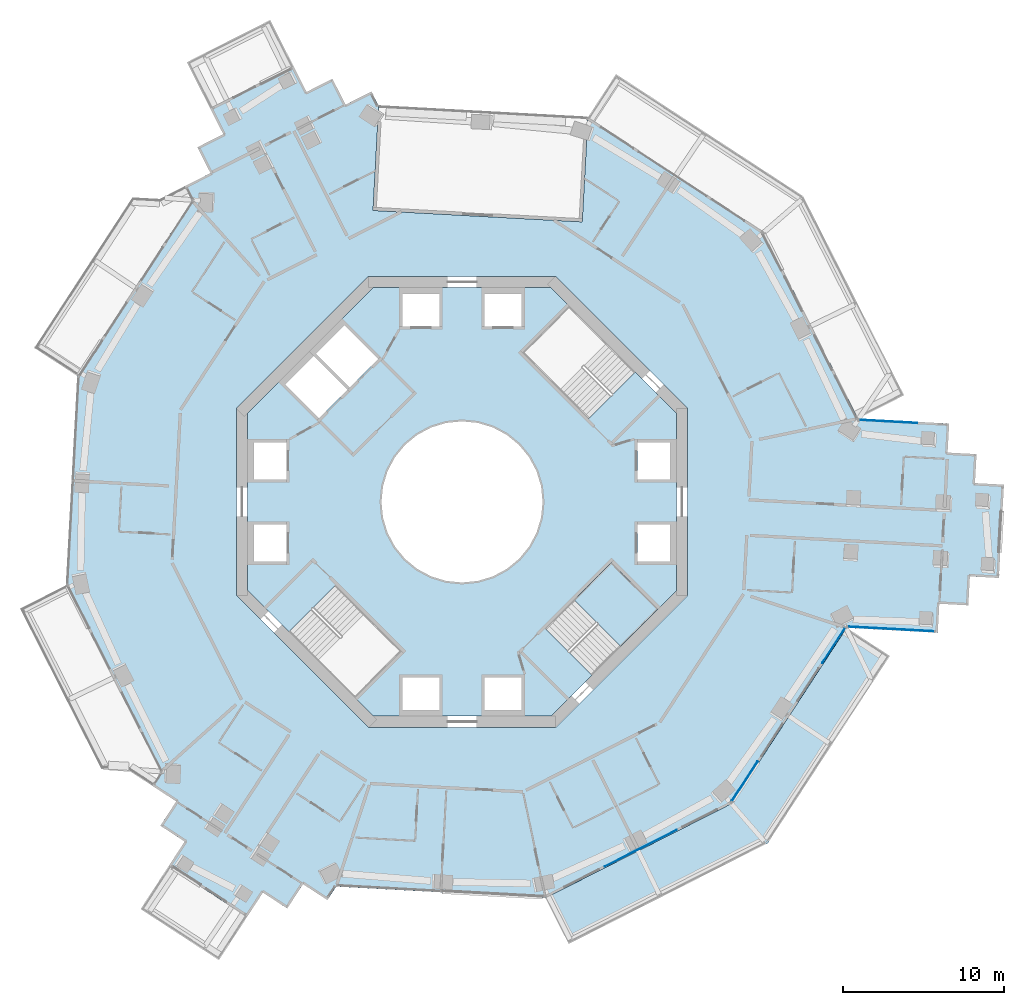
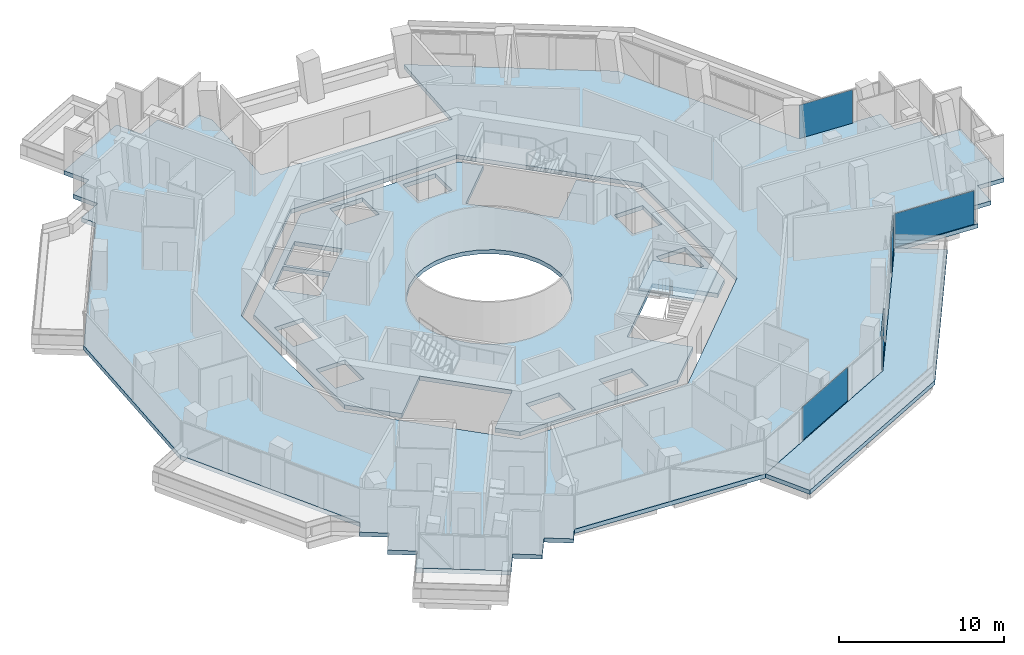
# One storey, part 12 of 23: 6 plates, 4 slabs, 5 elements without a shape of their own.
"""IFC4 building model written with IfcOpenShell, lengths in metres."""

from ifc_helpers import new_model, si_unit, direction, frame, origin, origin_2d, place, context, subcontext, project, spatial, polyline, rectangle, outline, extrude, material, layer, layer_set, type_object, element, aggregate, save


model = new_model("IFC4")

# Units and contexts
model_context = context("Model", 3, precision=1e-05, world=origin(), true_north=direction((0.0, 1.0)))
body_context = subcontext(model_context, "Body", "Model", "MODEL_VIEW")
ifc_project = project(units=[si_unit("LENGTHUNIT", "METRE"), si_unit("AREAUNIT", "SQUARE_METRE"), si_unit("VOLUMEUNIT", "CUBIC_METRE"), si_unit("PLANEANGLEUNIT", "RADIAN"), si_unit("MASSUNIT", "GRAM", prefix="KILO")], contexts=[model_context])

# Site, building, storey
site_placement = place(None, origin())
site = spatial("IfcSite", under=ifc_project, at=site_placement, CompositionType="ELEMENT")
building_placement = place(site_placement, origin())
building = spatial("IfcBuilding", under=site, at=building_placement, Name="Verdalira Terraces Hotel", CompositionType="ELEMENT")
storey_placement = place(building_placement, frame((0.0, 0.0, 143.5)))
storey = spatial("IfcBuildingStorey", under=building, at=storey_placement, Name="L34", CompositionType="ELEMENT", Elevation=143.5)

# Slab
ifc_material_1 = material(Name="Precast concrete C40/50", Category="concrete")
ifc_layer_1 = layer(ifc_material_1, 0.31005859375)
ifc_layer_set_1 = layer_set([ifc_layer_1], Name="Balcony deck 310")
slab_type_1 = type_object("IfcSlabType", Name="Balcony deck 310", PredefinedType="FLOOR", material=ifc_layer_set_1)
slab_1_placement = place(storey_placement, frame((0.0, 0.0, -0.310059)))
element("IfcSlab", 1, at=slab_1_placement, inside=storey, type_object=slab_type_1, Name="Balcony deck", PredefinedType="FLOOR", context=body_context, shape_type="SweptSolid", body=[
    extrude(outline(polyline([(26.548584, -9.559082), (23.868652, -7.810791), (16.765381, -18.698486), (5.170166, -24.576172), (6.616943, -27.43042), (18.977051, -21.165039), (26.548584, -9.559082)])), origin(), (0.0, 0.0, 1.0), 0.310059),
])

# Curtain wall, plate
ifc_material_2 = material(Name="Clear glass", Category="glass")
ifc_layer_2 = layer(ifc_material_2, 0.14990234375)
ifc_layer_set_2 = layer_set([ifc_layer_2], Name="CW1 curtain wall")
curtain_wall_type_1 = type_object("IfcCurtainWallType", Name="CW1 curtain wall", PredefinedType="NOTDEFINED", material=ifc_layer_set_2)
curtain_wall_1_placement = place(storey_placement, origin())
curtain_wall_1 = element("IfcCurtainWall", 2, at=curtain_wall_1_placement, inside=storey, type_object=curtain_wall_type_1, Name="CW1 curtain wall L34 edge 26", PredefinedType="NOTDEFINED")
ifc_material_3 = material(Name="Clear glass", Category="glass")
ifc_layer_3 = layer(ifc_material_3, 0.028076171875)
ifc_layer_set_3 = layer_set([ifc_layer_3], Name="CW1 glass unit 28")
plate_type_1 = type_object("IfcPlateType", Name="CW1 glass unit 28", PredefinedType="CURTAIN_PANEL", material=ifc_layer_set_3)
plate_1_placement = place(storey_placement, frame((11.093262, -21.489502, 0.0), z_axis=(0.0, 0.0, 1.0), x_axis=(0.891955405, 0.452123386, 0.0)))
plate_1 = element("IfcPlate", 3, at=plate_1_placement, type_object=plate_type_1, Name="CW1 glass unit", PredefinedType="CURTAIN_PANEL", context=body_context, shape_type="SweptSolid", body=[
    extrude(rectangle(XDim=5.021729, YDim=0.028076, at=origin_2d()), origin(), (0.0, 0.0, 1.0), 2.475098),
])
aggregate(curtain_wall_1, [plate_1])

# Curtain wall, plates
curtain_wall_2_placement = place(storey_placement, origin())
curtain_wall_2 = element("IfcCurtainWall", 4, at=curtain_wall_2_placement, inside=storey, type_object=curtain_wall_type_1, Name="CW1 curtain wall L34 edge 27", PredefinedType="NOTDEFINED")
plate_2_placement = place(storey_placement, frame((17.544678, -17.341309, 1.237549), z_axis=(0.83752804, -0.546394347, 0.0), x_axis=(0.546394347, 0.83752804, 0.0)))
plate_2 = element("IfcPlate", 5, at=plate_2_placement, type_object=plate_type_1, Name="CW1 glass unit", PredefinedType="CURTAIN_PANEL", context=body_context, shape_type="SweptSolid", body=[
    extrude(outline(polyline([(-1.462402, -1.237549), (1.462402, -1.237549), (-1.462402, 1.237549), (-1.462402, -1.237549)])), origin(), (0.0, 0.0, 1.0), 0.028076),
])
plate_3_placement = place(storey_placement, frame((17.520264, -17.325439, 1.237549), z_axis=(0.83752804, -0.546394347, 0.0), x_axis=(0.546394347, 0.83752804, 0.0)))
plate_3 = element("IfcPlate", 6, at=plate_3_placement, type_object=plate_type_1, Name="CW1 glass unit", PredefinedType="CURTAIN_PANEL", context=body_context, shape_type="SweptSolid", body=[
    extrude(outline(polyline([(1.462402, -1.237549), (1.462402, 1.237549), (-1.462402, 1.237549), (1.462402, -1.237549)])), origin(), (0.0, 0.0, 1.0), 0.028076),
])
plate_4_placement = place(storey_placement, frame((23.061523, -8.910645, 0.0), z_axis=(0.0, 0.0, 1.0), x_axis=(0.546394347, 0.83752804, 0.0)))
plate_4 = element("IfcPlate", 7, at=plate_4_placement, type_object=plate_type_1, Name="CW1 glass unit", PredefinedType="CURTAIN_PANEL", context=body_context, shape_type="SweptSolid", body=[
    extrude(rectangle(XDim=2.604492, YDim=0.028076, at=origin_2d()), origin(), (0.0, 0.0, 1.0), 2.475098),
])
aggregate(curtain_wall_2, [plate_2, plate_3, plate_4])

# Curtain wall, plate
ifc_material_4 = material(Name="Clear glass", Category="glass")
ifc_layer_4 = layer(ifc_material_4, 0.14990234375)
ifc_layer_set_4 = layer_set([ifc_layer_4], Name="CW2 curtain wall")
curtain_wall_type_2 = type_object("IfcCurtainWallType", Name="CW2 curtain wall", PredefinedType="NOTDEFINED", material=ifc_layer_set_4)
curtain_wall_3_placement = place(storey_placement, origin())
curtain_wall_3 = element("IfcCurtainWall", 8, at=curtain_wall_3_placement, inside=storey, type_object=curtain_wall_type_2, Name="CW2 curtain wall L34 edge 28", PredefinedType="NOTDEFINED")
ifc_material_5 = material(Name="Clear glass", Category="glass")
ifc_layer_5 = layer(ifc_material_5, 0.031982421875)
ifc_layer_set_5 = layer_set([ifc_layer_5], Name="CW2 glass unit 32")
plate_type_2 = type_object("IfcPlateType", Name="CW2 glass unit 32", PredefinedType="CURTAIN_PANEL", material=ifc_layer_set_5)
plate_5_placement = place(storey_placement, frame((26.624756, -7.885742, 0.0), z_axis=(0.0, 0.0, 1.0), x_axis=(0.998517732, -0.054427365, 0.0)))
plate_5 = element("IfcPlate", 9, at=plate_5_placement, type_object=plate_type_2, Name="CW2 glass unit", PredefinedType="CURTAIN_PANEL", context=body_context, shape_type="SweptSolid", body=[
    extrude(rectangle(XDim=5.372314, YDim=0.031982, at=origin_2d()), origin(), (0.0, 0.0, 1.0), 2.475098),
])
aggregate(curtain_wall_3, [plate_5])

curtain_wall_4_placement = place(storey_placement, origin())
curtain_wall_4 = element("IfcCurtainWall", 10, at=curtain_wall_4_placement, inside=storey, type_object=curtain_wall_type_2, Name="CW2 curtain wall L34 edge 38", PredefinedType="NOTDEFINED")
plate_6_placement = place(storey_placement, frame((26.445312, 4.993164, 0.0), z_axis=(0.0, 0.0, 1.0), x_axis=(-0.998517732, 0.054427365, 0.0)))
plate_6 = element("IfcPlate", 11, at=plate_6_placement, type_object=plate_type_2, Name="CW2 glass unit", PredefinedType="CURTAIN_PANEL", context=body_context, shape_type="SweptSolid", body=[
    extrude(rectangle(XDim=3.612061, YDim=0.031982, at=origin_2d()), origin(), (0.0, 0.0, 1.0), 2.475098),
])
aggregate(curtain_wall_4, [plate_6])

# Slab
ifc_material_6 = material(Name="Concrete C40", Category="concrete")
ifc_layer_6 = layer(ifc_material_6, 0.31005859375)
ifc_layer_set_6 = layer_set([ifc_layer_6], Name="Core floor slab 310 mm")
slab_type_2 = type_object("IfcSlabType", Name="Core floor slab 310 mm", PredefinedType="FLOOR", material=ifc_layer_set_6)
slab_2_placement = place(storey_placement, frame((0.0, 0.0, -0.310059)))
element("IfcSlab", 12, at=slab_2_placement, inside=storey, type_object=slab_type_2, Name="L34 core floor", PredefinedType="FLOOR", context=body_context, shape_type="SweptSolid", body=[
    extrude(outline(polyline([(-5.509033, 13.300049), (5.509033, 13.300049), (6.632812, 12.176514), (3.719482, 9.263184), (7.834473, 5.148193), (10.747803, 8.061279), (13.300049, 5.509033), (13.300049, -5.509033), (12.176514, -6.632812), (9.263184, -3.719482), (5.148193, -7.834473), (8.061279, -10.747803), (5.509033, -13.300049), (-5.509033, -13.300049), (-6.632812, -12.176514), (-3.719482, -9.263184), (-7.834473, -5.148193), (-10.747803, -8.061279), (-13.300049, -5.509033), (-13.300049, 5.509033), (-5.509033, 13.300049)]), holes=[polyline([(12.899902, -3.699951), (12.899902, -1.399902), (10.899902, -1.399902), (10.899902, -3.699951), (12.899902, -3.699951)]), polyline([(12.899902, 1.399902), (12.899902, 3.699951), (10.899902, 3.699951), (10.899902, 1.399902), (12.899902, 1.399902)]), polyline([(1.399902, 10.899902), (3.699951, 10.899902), (3.699951, 12.899902), (1.399902, 12.899902), (1.399902, 10.899902)]), polyline([(-3.699951, 10.899902), (-1.399902, 10.899902), (-1.399902, 12.899902), (-3.699951, 12.899902), (-3.699951, 10.899902)]), polyline([(-12.899902, 3.699951), (-12.899902, 1.399902), (-10.899902, 1.399902), (-10.899902, 3.699951), (-12.899902, 3.699951)]), polyline([(-12.899902, -1.399902), (-12.899902, -3.699951), (-10.899902, -3.699951), (-10.899902, -1.399902), (-12.899902, -1.399902)]), polyline([(-1.399902, -10.899902), (-3.699951, -10.899902), (-3.699951, -12.899902), (-1.399902, -12.899902), (-1.399902, -10.899902)]), polyline([(3.699951, -10.899902), (1.399902, -10.899902), (1.399902, -12.899902), (3.699951, -12.899902), (3.699951, -10.899902)]), polyline([(-9.051025, 9.192383), (-6.965088, 7.106445), (-5.197266, 8.874268), (-7.283203, 10.960205), (-9.051025, 9.192383)]), polyline([(-9.192383, 9.051025), (-10.960205, 7.283203), (-8.874268, 5.197266), (-7.106445, 6.965088), (-9.192383, 9.051025)]), polyline([(3.5354, 3.5354), (2.777832, 4.157227), (1.91333, 4.619385), (0.975586, 4.903809), (0.0, 5.0), (-0.975586, 4.903809), (-1.91333, 4.619385), (-2.777832, 4.157227), (-3.5354, 3.5354), (-4.157227, 2.777832), (-4.619385, 1.91333), (-4.903809, 0.975586), (-5.0, 0.0), (-4.903809, -0.975586), (-4.619385, -1.91333), (-4.157227, -2.777832), (-3.5354, -3.5354), (-2.777832, -4.157227), (-1.91333, -4.619385), (-0.975586, -4.903809), (0.0, -5.0), (0.975586, -4.903809), (1.91333, -4.619385), (2.777832, -4.157227), (3.5354, -3.5354), (4.157227, -2.777832), (4.619385, -1.91333), (4.903809, -0.975586), (5.0, 0.0), (4.903809, 0.975586), (4.619385, 1.91333), (4.157227, 2.777832), (3.5354, 3.5354)])]), origin(), (0.0, 0.0, 1.0), 0.310059),
])

# Stair, slab
ifc_material_7 = material(Name="Concrete C40", Category="concrete")
stair_type = type_object("IfcStairType", Name="Core stair 20 risers 2000 mm wide", PredefinedType="HALF_TURN_STAIR", material=ifc_material_7)
stair_placement = place(storey_placement, origin())
stair = element("IfcStair", 13, at=stair_placement, inside=storey, type_object=stair_type, Name="L34 Exit stair ST3", PredefinedType="HALF_TURN_STAIR")
ifc_material_8 = material(Name="Concrete C40", Category="concrete")
ifc_layer_7 = layer(ifc_material_8, 0.199951171875)
ifc_layer_set_7 = layer_set([ifc_layer_7], Name="Core stair landing 200 mm")
slab_type_3 = type_object("IfcSlabType", Name="Core stair landing 200 mm", PredefinedType="LANDING", material=ifc_layer_set_7)
slab_3_placement = place(storey_placement, frame((0.0, 0.0, 1.550049)))
slab_3 = element("IfcSlab", 14, at=slab_3_placement, type_object=slab_type_3, Name="ST3 landing 1", PredefinedType="LANDING", context=body_context, shape_type="SweptSolid", body=[
    extrude(outline(polyline([(9.842529, -8.966553), (12.162354, -6.646729), (9.263184, -3.747559), (6.943359, -6.067383), (9.842529, -8.966553)])), origin(), (0.0, 0.0, 1.0), 0.199951),
])
aggregate(stair, [slab_3])

# Slab
ifc_material_9 = material(Name="Concrete C40", Category="concrete")
ifc_layer_8 = layer(ifc_material_9, 0.31005859375)
ifc_layer_set_8 = layer_set([ifc_layer_8], Name="Floor slab 310 C40")
slab_type_4 = type_object("IfcSlabType", Name="Floor slab 310 C40", PredefinedType="FLOOR", material=ifc_layer_set_8)
slab_4_placement = place(storey_placement, frame((0.0, 0.0, -0.310059)))
element("IfcSlab", 15, at=slab_4_placement, inside=storey, type_object=slab_type_4, Name="Floor slab L34", PredefinedType="FLOOR", context=body_context, shape_type="SweptSolid", body=[
    extrude(outline(polyline([(24.576172, 5.169922), (18.698486, 16.765381), (7.811279, 23.868408), (7.45752, 17.377686), (-5.524414, 18.085205), (-5.17041, 24.57666), (-5.17041, 24.57666), (-5.622314, 25.468018), (-7.227783, 24.654297), (-8.041504, 26.259766), (-9.646973, 25.446045), (-10.460938, 27.051514), (-15.634277, 24.429199), (-14.820312, 22.82373), (-16.425781, 22.009766), (-15.612061, 20.404297), (-17.217529, 19.590576), (-16.765381, 18.698486), (-23.868652, 7.810791), (-24.576172, -5.169922), (-18.698486, -16.765381), (-19.244873, -17.603027), (-17.737305, -18.586426), (-18.720947, -20.093994), (-17.213379, -21.077637), (-18.197021, -22.585205), (-13.339111, -25.75415), (-12.355713, -24.246582), (-10.848145, -25.230225), (-9.864502, -23.722656), (-8.357178, -24.706055), (-7.810791, -23.868652), (5.169922, -24.576172), (16.765381, -18.698486), (23.868652, -7.810791), (29.522705, -8.118896), (29.620605, -6.321533), (31.417969, -6.419434), (31.515869, -4.622314), (33.313232, -4.720215), (33.628906, 1.071289), (31.831543, 1.169189), (31.929443, 2.966553), (30.13208, 3.064453), (30.22998, 4.861816), (24.576172, 5.169922)]), holes=[polyline([(5.799072, 14.0), (14.0, 5.799072), (14.0, -5.799072), (5.799072, -14.0), (-5.799072, -14.0), (-14.0, -5.799072), (-14.0, 5.799072), (-5.799072, 14.0), (5.799072, 14.0)])]), origin(), (0.0, 0.0, 1.0), 0.310059),
])

save(model, "model.ifc")
